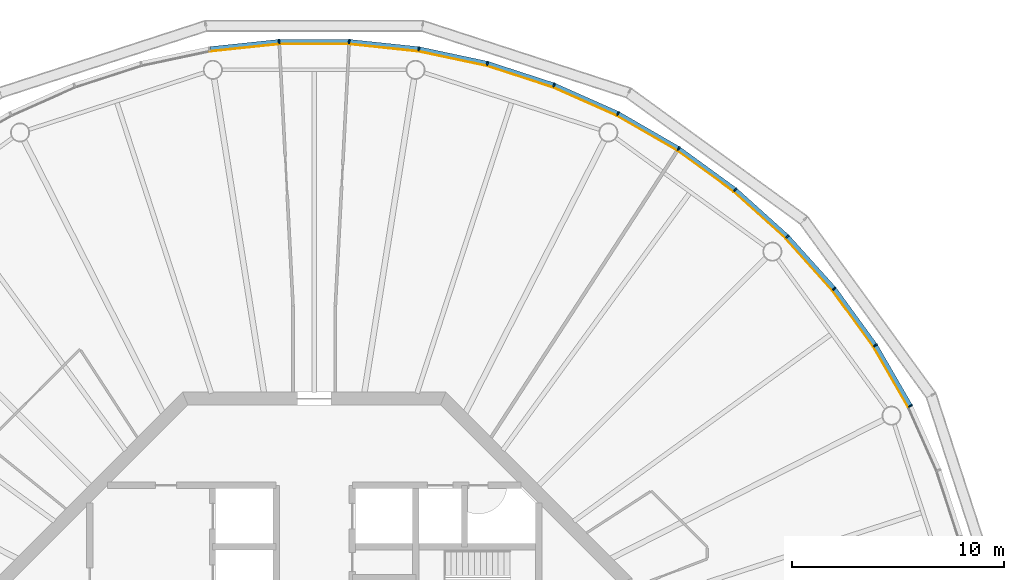
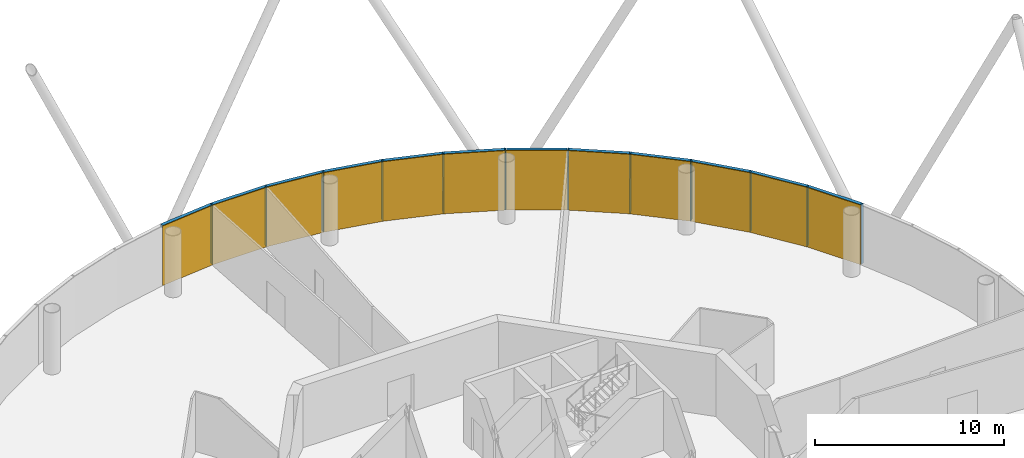
# One storey, part 12 of 13: 24 members, 4 curtain walls.
"""IFC4 building model written with IfcOpenShell, lengths in metres."""

from ifc_helpers import new_model, si_unit, direction, frame, origin, origin_2d, place, context, subcontext, project, spatial, polyline, rectangle, outline, extrude, material, layer, layer_set, material_profile, profile_set, type_object, element, aggregate, save


model = new_model("IFC4")

# Units and contexts
model_context = context("Model", 3, precision=1e-05, world=origin(), true_north=direction((0.0, 1.0)))
body_context = subcontext(model_context, "Body", "Model", "MODEL_VIEW")
ifc_project = project(units=[si_unit("LENGTHUNIT", "METRE"), si_unit("AREAUNIT", "SQUARE_METRE"), si_unit("VOLUMEUNIT", "CUBIC_METRE"), si_unit("PLANEANGLEUNIT", "RADIAN"), si_unit("MASSUNIT", "GRAM", prefix="KILO")], contexts=[model_context])

# Member
ifc_material_1 = material(Name="Anodised aluminium", Category="aluminium")
ifc_material_profile_1 = material_profile(ifc_material_1, rectangle(XDim=0.070068359375, YDim=0.205078125, at=origin_2d()), Name="Mullion 70 x 205 mm anodised aluminium")
ifc_profile_set_1 = profile_set([ifc_material_profile_1], Name="Anodised aluminium")
member_type_1 = type_object("IfcMemberType", Name="Mullion 70 x 205 mm anodised aluminium", PredefinedType="MULLION", material=ifc_profile_set_1)
site_placement = place(None, origin())
building_placement = place(site_placement, origin())
storey_placement = place(building_placement, frame((0.0, 0.0, 372.0)))
member_1_placement = place(storey_placement, frame((118.157958984375, 94.34716796875, 0.0), z_axis=(0.0, 0.0, 1.0), x_axis=(-0.45399049974, 0.891006524188, 0.0)))
member_1 = element("IfcMember", 1, at=member_1_placement, type_object=member_type_1, Name="MULLION L86-03", PredefinedType="MULLION", context=body_context, shape_type="SweptSolid", body=[
    extrude(rectangle(XDim=0.070068359375, YDim=0.205078125, at=origin_2d()), origin(), (0.0, 0.0, 1.0), 3.85009765625),
])

member_2_placement = place(storey_placement, frame((116.504150390625, 97.2119140625, 0.0), z_axis=(0.0, 0.0, 1.0), x_axis=(-0.544639035015, 0.838670567945, 0.0)))
member_2 = element("IfcMember", 2, at=member_2_placement, type_object=member_type_1, Name="MULLION L86-04", PredefinedType="MULLION", context=body_context, shape_type="SweptSolid", body=[
    extrude(rectangle(XDim=0.070068359375, YDim=0.205078125, at=origin_2d()), origin(), (0.0, 0.0, 1.0), 3.85009765625),
])

member_3_placement = place(storey_placement, frame((114.559814453125, 99.88818359375, 0.0), z_axis=(0.0, 0.0, 1.0), x_axis=(-0.62932039105, 0.777145961457, 0.0)))
member_3 = element("IfcMember", 3, at=member_3_placement, type_object=member_type_1, Name="MULLION L86-05", PredefinedType="MULLION", context=body_context, shape_type="SweptSolid", body=[
    extrude(rectangle(XDim=0.070068359375, YDim=0.205078125, at=origin_2d()), origin(), (0.0, 0.0, 1.0), 3.85009765625),
])

member_4_placement = place(storey_placement, frame((112.346435546875, 102.346435546875, 0.0), z_axis=(0.0, 0.0, 1.0), x_axis=(-0.707106781187, 0.707106781187, 0.0)))
member_4 = element("IfcMember", 4, at=member_4_placement, type_object=member_type_1, Name="MULLION L86-06", PredefinedType="MULLION", context=body_context, shape_type="SweptSolid", body=[
    extrude(rectangle(XDim=0.070068359375, YDim=0.205078125, at=origin_2d()), origin(), (0.0, 0.0, 1.0), 3.85009765625),
])

member_5_placement = place(storey_placement, frame((109.88818359375, 104.559814453125, 0.0), z_axis=(0.0, 0.0, 1.0), x_axis=(-0.777145961457, 0.62932039105, 0.0)))
member_5 = element("IfcMember", 5, at=member_5_placement, type_object=member_type_1, Name="MULLION L86-07", PredefinedType="MULLION", context=body_context, shape_type="SweptSolid", body=[
    extrude(rectangle(XDim=0.070068359375, YDim=0.205078125, at=origin_2d()), origin(), (0.0, 0.0, 1.0), 3.85009765625),
])

member_6_placement = place(storey_placement, frame((107.2119140625, 106.504150390625, 0.0), z_axis=(0.0, 0.0, 1.0), x_axis=(-0.838670567945, 0.544639035015, 0.0)))
member_6 = element("IfcMember", 6, at=member_6_placement, type_object=member_type_1, Name="MULLION L86-08", PredefinedType="MULLION", context=body_context, shape_type="SweptSolid", body=[
    extrude(rectangle(XDim=0.070068359375, YDim=0.205078125, at=origin_2d()), origin(), (0.0, 0.0, 1.0), 3.85009765625),
])

member_7_placement = place(storey_placement, frame((104.34716796875, 108.157958984375, 0.0), z_axis=(0.0, 0.0, 1.0), x_axis=(-0.891006524188, 0.45399049974, 0.0)))
member_7 = element("IfcMember", 7, at=member_7_placement, type_object=member_type_1, Name="MULLION L86-09", PredefinedType="MULLION", context=body_context, shape_type="SweptSolid", body=[
    extrude(rectangle(XDim=0.070068359375, YDim=0.205078125, at=origin_2d()), origin(), (0.0, 0.0, 1.0), 3.85009765625),
])

member_8_placement = place(storey_placement, frame((101.325439453125, 109.50341796875, 0.0), z_axis=(0.0, 0.0, 1.0), x_axis=(-0.933580426497, 0.358367949545, 0.0)))
member_8 = element("IfcMember", 8, at=member_8_placement, type_object=member_type_1, Name="MULLION L86-10", PredefinedType="MULLION", context=body_context, shape_type="SweptSolid", body=[
    extrude(rectangle(XDim=0.070068359375, YDim=0.205078125, at=origin_2d()), origin(), (0.0, 0.0, 1.0), 3.85009765625),
])

member_9_placement = place(storey_placement, frame((98.179443359375, 110.525634765625, 0.0), z_axis=(0.0, 0.0, 1.0), x_axis=(-0.965925826289, 0.258819045103, 0.0)))
member_9 = element("IfcMember", 9, at=member_9_placement, type_object=member_type_1, Name="MULLION L86-11", PredefinedType="MULLION", context=body_context, shape_type="SweptSolid", body=[
    extrude(rectangle(XDim=0.070068359375, YDim=0.205078125, at=origin_2d()), origin(), (0.0, 0.0, 1.0), 3.85009765625),
])

member_10_placement = place(storey_placement, frame((94.943603515625, 111.21337890625, 0.0), z_axis=(0.0, 0.0, 1.0), x_axis=(-0.987688340595, 0.15643446504, 0.0)))
member_10 = element("IfcMember", 10, at=member_10_placement, type_object=member_type_1, Name="MULLION L86-12", PredefinedType="MULLION", context=body_context, shape_type="SweptSolid", body=[
    extrude(rectangle(XDim=0.070068359375, YDim=0.205078125, at=origin_2d()), origin(), (0.0, 0.0, 1.0), 3.85009765625),
])

member_11_placement = place(storey_placement, frame((91.654052734375, 111.55908203125, 0.0), z_axis=(0.0, 0.0, 1.0), x_axis=(-0.998629534755, 0.052335956243, 0.0)))
member_11 = element("IfcMember", 11, at=member_11_placement, type_object=member_type_1, Name="MULLION L86-13", PredefinedType="MULLION", context=body_context, shape_type="SweptSolid", body=[
    extrude(rectangle(XDim=0.070068359375, YDim=0.205078125, at=origin_2d()), origin(), (0.0, 0.0, 1.0), 3.85009765625),
])

member_12_placement = place(storey_placement, frame((88.345947265625, 111.55908203125, 0.0), z_axis=(0.0, 0.0, 1.0), x_axis=(-0.998629534755, -0.052335956243, 0.0)))
member_12 = element("IfcMember", 12, at=member_12_placement, type_object=member_type_1, Name="MULLION L86-14", PredefinedType="MULLION", context=body_context, shape_type="SweptSolid", body=[
    extrude(rectangle(XDim=0.070068359375, YDim=0.205078125, at=origin_2d()), origin(), (0.0, 0.0, 1.0), 3.85009765625),
])

ifc_material_2 = material(Name="Anodised aluminium", Category="aluminium")
ifc_material_profile_2 = material_profile(ifc_material_2, rectangle(XDim=0.205078125, YDim=0.195068359375, at=origin_2d()), Name="Transom 195 x 205 mm anodised aluminium")
ifc_profile_set_2 = profile_set([ifc_material_profile_2], Name="Anodised aluminium")
member_type_2 = type_object("IfcMemberType", Name="Transom 195 x 205 mm anodised aluminium", PredefinedType="USERDEFINED", material=ifc_profile_set_2)
member_13_placement = place(storey_placement, frame((118.137939453125, 94.38232421875, 3.75244140625), z_axis=(-0.500004055213, 0.866023062494, 0.0), x_axis=(-0.866023062494, -0.500004055213, 0.0)))
member_13 = element("IfcMember", 13, at=member_13_placement, type_object=member_type_2, Name="TRANSOM L86-03", ObjectType="TRANSOM", PredefinedType="USERDEFINED", context=body_context, shape_type="SweptSolid", body=[
    extrude(rectangle(XDim=0.205078125, YDim=0.195068359375, at=origin_2d()), origin(), (0.0, 0.0, 1.0), 3.22705078125),
])

member_14_placement = place(storey_placement, frame((116.48046875, 97.24462890625, 3.75244140625), z_axis=(-0.587802790201, 0.809004252048, 0.0), x_axis=(-0.809004252048, -0.587802790201, 0.0)))
member_14 = element("IfcMember", 14, at=member_14_placement, type_object=member_type_2, Name="TRANSOM L86-04", ObjectType="TRANSOM", PredefinedType="USERDEFINED", context=body_context, shape_type="SweptSolid", body=[
    extrude(rectangle(XDim=0.205078125, YDim=0.195068359375, at=origin_2d()), origin(), (0.0, 0.0, 1.0), 3.227294921875),
])

member_15_placement = place(storey_placement, frame((114.532958984375, 99.918212890625, 3.75244140625), z_axis=(-0.669144438484, 0.743132370743, 0.0), x_axis=(-0.743132370743, -0.669144438484, 0.0)))
member_15 = element("IfcMember", 15, at=member_15_placement, type_object=member_type_2, Name="TRANSOM L86-05", ObjectType="TRANSOM", PredefinedType="USERDEFINED", context=body_context, shape_type="SweptSolid", body=[
    extrude(rectangle(XDim=0.205078125, YDim=0.195068359375, at=origin_2d()), origin(), (0.0, 0.0, 1.0), 3.22705078125),
])

member_16_placement = place(storey_placement, frame((112.31640625, 102.37353515625, 3.75244140625), z_axis=(-0.743132370743, 0.669144438484, 0.0), x_axis=(-0.669144438484, -0.743132370743, 0.0)))
member_16 = element("IfcMember", 16, at=member_16_placement, type_object=member_type_2, Name="TRANSOM L86-06", ObjectType="TRANSOM", PredefinedType="USERDEFINED", context=body_context, shape_type="SweptSolid", body=[
    extrude(rectangle(XDim=0.205078125, YDim=0.195068359375, at=origin_2d()), origin(), (0.0, 0.0, 1.0), 3.22705078125),
])

member_17_placement = place(storey_placement, frame((109.85546875, 104.58349609375, 3.75244140625), z_axis=(-0.809004252048, 0.587802790201, 0.0), x_axis=(-0.587802790201, -0.809004252048, 0.0)))
member_17 = element("IfcMember", 17, at=member_17_placement, type_object=member_type_2, Name="TRANSOM L86-07", ObjectType="TRANSOM", PredefinedType="USERDEFINED", context=body_context, shape_type="SweptSolid", body=[
    extrude(rectangle(XDim=0.205078125, YDim=0.195068359375, at=origin_2d()), origin(), (0.0, 0.0, 1.0), 3.227294921875),
])

member_18_placement = place(storey_placement, frame((107.177001953125, 106.5244140625, 3.75244140625), z_axis=(-0.866023062494, 0.500004055213, 0.0), x_axis=(-0.500004055213, -0.866023062494, 0.0)))
member_18 = element("IfcMember", 18, at=member_18_placement, type_object=member_type_2, Name="TRANSOM L86-08", ObjectType="TRANSOM", PredefinedType="USERDEFINED", context=body_context, shape_type="SweptSolid", body=[
    extrude(rectangle(XDim=0.205078125, YDim=0.195068359375, at=origin_2d()), origin(), (0.0, 0.0, 1.0), 3.22705078125),
])

member_19_placement = place(storey_placement, frame((104.310302734375, 108.174560546875, 3.75244140625), z_axis=(-0.913521178731, 0.406791170024, 0.0), x_axis=(-0.406791170024, -0.913521178731, 0.0)))
member_19 = element("IfcMember", 19, at=member_19_placement, type_object=member_type_2, Name="TRANSOM L86-09", ObjectType="TRANSOM", PredefinedType="USERDEFINED", context=body_context, shape_type="SweptSolid", body=[
    extrude(rectangle(XDim=0.205078125, YDim=0.195068359375, at=origin_2d()), origin(), (0.0, 0.0, 1.0), 3.22705078125),
])

member_20_placement = place(storey_placement, frame((101.286865234375, 109.51611328125, 3.75244140625), z_axis=(-0.951046855117, 0.309046726844, 0.0), x_axis=(-0.309046726844, -0.951046855117, 0.0)))
member_20 = element("IfcMember", 20, at=member_20_placement, type_object=member_type_2, Name="TRANSOM L86-10", ObjectType="TRANSOM", PredefinedType="USERDEFINED", context=body_context, shape_type="SweptSolid", body=[
    extrude(rectangle(XDim=0.205078125, YDim=0.195068359375, at=origin_2d()), origin(), (0.0, 0.0, 1.0), 3.22705078125),
])

member_21_placement = place(storey_placement, frame((98.139892578125, 110.5341796875, 3.75244140625), z_axis=(-0.978153082647, 0.207885898771, 0.0), x_axis=(-0.207885898771, -0.978153082647, 0.0)))
member_21 = element("IfcMember", 21, at=member_21_placement, type_object=member_type_2, Name="TRANSOM L86-11", ObjectType="TRANSOM", PredefinedType="USERDEFINED", context=body_context, shape_type="SweptSolid", body=[
    extrude(rectangle(XDim=0.205078125, YDim=0.195068359375, at=origin_2d()), origin(), (0.0, 0.0, 1.0), 3.227294921875),
])

member_22_placement = place(storey_placement, frame((94.903564453125, 111.2177734375, 3.75244140625), z_axis=(-0.994519537956, 0.104550890115, 0.0), x_axis=(-0.104550890115, -0.994519537956, 0.0)))
member_22 = element("IfcMember", 22, at=member_22_placement, type_object=member_type_2, Name="TRANSOM L86-12", ObjectType="TRANSOM", PredefinedType="USERDEFINED", context=body_context, shape_type="SweptSolid", body=[
    extrude(rectangle(XDim=0.205078125, YDim=0.195068359375, at=origin_2d()), origin(), (0.0, 0.0, 1.0), 3.22705078125),
])

member_23_placement = place(storey_placement, frame((91.613525390625, 111.559326171875, 3.75244140625), z_axis=(-1.0, 0.0, 0.0), x_axis=(0.0, -1.0, 0.0)))
member_23 = element("IfcMember", 23, at=member_23_placement, type_object=member_type_2, Name="TRANSOM L86-13", ObjectType="TRANSOM", PredefinedType="USERDEFINED", context=body_context, shape_type="SweptSolid", body=[
    extrude(rectangle(XDim=0.205078125, YDim=0.195068359375, at=origin_2d()), origin(), (0.0, 0.0, 1.0), 3.22705078125),
])

member_24_placement = place(storey_placement, frame((88.305908203125, 111.55517578125, 3.75244140625), z_axis=(-0.994519537956, -0.104550890115, 0.0), x_axis=(0.104550890115, -0.994519537956, 0.0)))
member_24 = element("IfcMember", 24, at=member_24_placement, type_object=member_type_2, Name="TRANSOM L86-14", ObjectType="TRANSOM", PredefinedType="USERDEFINED", context=body_context, shape_type="SweptSolid", body=[
    extrude(rectangle(XDim=0.205078125, YDim=0.195068359375, at=origin_2d()), origin(), (0.0, 0.0, 1.0), 3.22705078125),
])

# Site, building, storey
site = spatial("IfcSite", under=ifc_project, at=site_placement, CompositionType="ELEMENT")
building = spatial("IfcBuilding", under=site, at=building_placement, Name="Entoto Ring Tower", CompositionType="ELEMENT")
storey = spatial("IfcBuildingStorey", under=building, at=storey_placement, Name="L86", CompositionType="ELEMENT", Elevation=372.0)

# Curtain wall
ifc_material_3 = material(Name="Clear low-iron glass", Category="glass")
ifc_layer = layer(ifc_material_3, 0.035888671875)
ifc_layer_set = layer_set([ifc_layer], Name="Clear low-iron glass")
curtain_wall_type = type_object("IfcCurtainWallType", Name="Curtain wall system CW6 glazing 36 mm", PredefinedType="NOTDEFINED", material=ifc_layer_set)
curtain_wall_1_placement = place(storey_placement, origin())
curtain_wall_1 = element("IfcCurtainWall", 25, at=curtain_wall_1_placement, inside=storey, type_object=curtain_wall_type, Name="CW6 L86-02", PredefinedType="NOTDEFINED", context=body_context, shape_type="SweptSolid", body=[
    extrude(outline(polyline([(118.066650390625, 94.30078125), (116.418212890625, 97.15625), (114.47998046875, 99.823486328125), (112.27392578125, 102.27392578125), (112.248291015625, 102.248291015625), (114.4521484375, 99.801025390625), (116.387939453125, 97.136474609375), (118.03466796875, 94.284423828125), (118.066650390625, 94.30078125)])), origin(), (0.0, 0.0, 1.0), 3.85009765625),
])

aggregate(curtain_wall_1, [member_1, member_2, member_3, member_13, member_14, member_15])

curtain_wall_2_placement = place(storey_placement, origin())
curtain_wall_2 = element("IfcCurtainWall", 26, at=curtain_wall_2_placement, inside=storey, type_object=curtain_wall_type, Name="CW6 L86-03", PredefinedType="NOTDEFINED", context=body_context, shape_type="SweptSolid", body=[
    extrude(outline(polyline([(112.27392578125, 102.27392578125), (109.823486328125, 104.47998046875), (107.15625, 106.418212890625), (104.30078125, 108.066650390625), (104.284423828125, 108.03466796875), (107.136474609375, 106.387939453125), (109.801025390625, 104.4521484375), (112.248291015625, 102.248291015625), (112.27392578125, 102.27392578125)])), origin(), (0.0, 0.0, 1.0), 3.85009765625),
])

aggregate(curtain_wall_2, [member_4, member_5, member_6, member_16, member_17, member_18])

curtain_wall_3_placement = place(storey_placement, origin())
curtain_wall_3 = element("IfcCurtainWall", 27, at=curtain_wall_3_placement, inside=storey, type_object=curtain_wall_type, Name="CW6 L86-04", PredefinedType="NOTDEFINED", context=body_context, shape_type="SweptSolid", body=[
    extrude(outline(polyline([(104.30078125, 108.066650390625), (101.28857421875, 109.40771484375), (98.15283203125, 110.4267578125), (94.927734375, 111.1123046875), (94.922119140625, 111.07666015625), (98.1435546875, 110.391845703125), (101.275634765625, 109.3740234375), (104.284423828125, 108.03466796875), (104.30078125, 108.066650390625)])), origin(), (0.0, 0.0, 1.0), 3.85009765625),
])

aggregate(curtain_wall_3, [member_7, member_8, member_9, member_19, member_20, member_21])

curtain_wall_4_placement = place(storey_placement, origin())
curtain_wall_4 = element("IfcCurtainWall", 28, at=curtain_wall_4_placement, inside=storey, type_object=curtain_wall_type, Name="CW6 L86-05", PredefinedType="NOTDEFINED", context=body_context, shape_type="SweptSolid", body=[
    extrude(outline(polyline([(94.927734375, 111.1123046875), (91.648681640625, 111.456787109375), (88.351318359375, 111.456787109375), (85.072265625, 111.1123046875), (85.077880859375, 111.07666015625), (88.353271484375, 111.4208984375), (91.646728515625, 111.4208984375), (94.922119140625, 111.07666015625), (94.927734375, 111.1123046875)])), origin(), (0.0, 0.0, 1.0), 3.85009765625),
])

aggregate(curtain_wall_4, [member_10, member_11, member_12, member_22, member_23, member_24])

save(model, "model.ifc")
